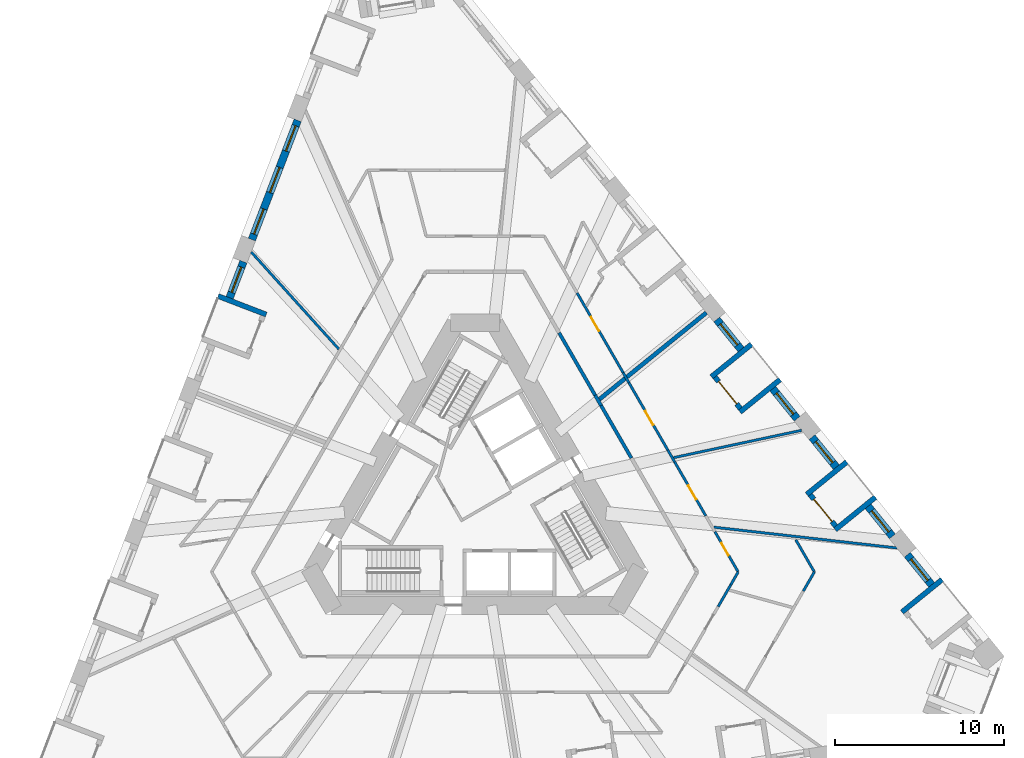
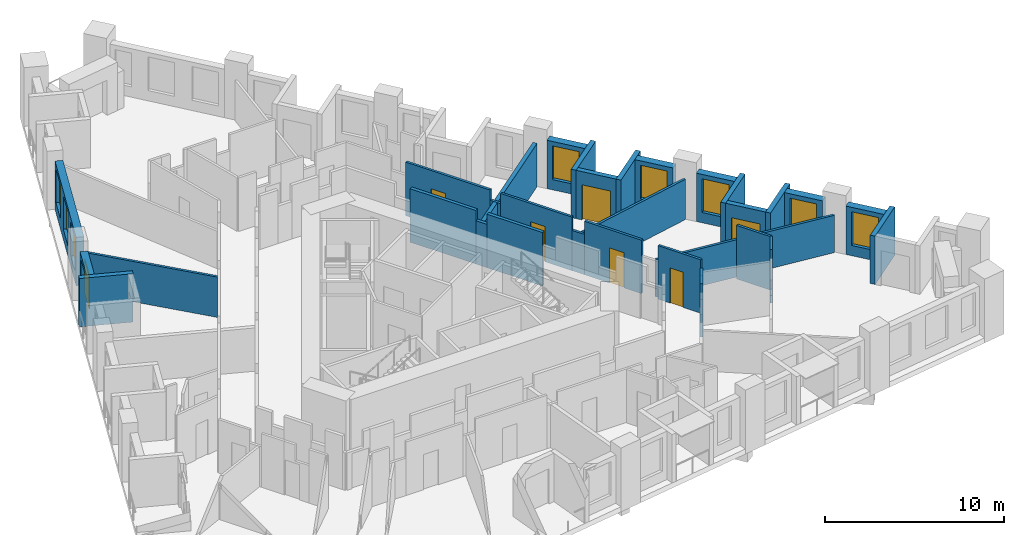
# One storey, part 7 of 13: 32 walls, 9 windows, 6 doors, 15 openings.
"""IFC4 building model written with IfcOpenShell, lengths in metres."""

import ifcopenshell
import ifcopenshell.guid

model = None  # the IFC model being written
_history = None  # IfcOwnerHistory: only IFC2X3 demands one
_inside = {}  # id of a spatial element -> (the spatial element, [elements in it])
_under = {}  # id of a project, library or spatial element -> (it, [spatial elements below it])
_declared = {}  # id of a project -> (the project, [libraries it declares])
_typed = {}  # id of a type object -> (the type object, [elements of that type])
_made_of = {}  # id of a material, layer set ... -> (it, [elements and type objects made of it])


def new_model(schema):
    """Start an empty IFC model of exactly this schema.

    Asked for "IFC4X3", IfcOpenShell would pick the latest addendum, in which some entities
    have other attributes; the version numbers below select the first issue.
    IFC2X3 requires an IfcOwnerHistory on every rooted entity: one is made here for all.
    """
    global model, _history
    if schema == "IFC4X3":
        model = ifcopenshell.file(schema_version=(4, 3, 0, 0))
    else:
        model = ifcopenshell.file(schema=schema)
    _inside.clear()
    _under.clear()
    _declared.clear()
    _typed.clear()
    _made_of.clear()
    _history = None
    if model.schema == "IFC2X3":
        org = make("IfcOrganization", Name="unknown")
        user = make(
            "IfcPersonAndOrganization",
            ThePerson=make("IfcPerson", FamilyName="unknown"),
            TheOrganization=org,
        )
        app = make(
            "IfcApplication",
            ApplicationDeveloper=org,
            Version="unknown",
            ApplicationFullName="unknown",
            ApplicationIdentifier="unknown",
        )
        _history = make(
            "IfcOwnerHistory",
            OwningUser=user,
            OwningApplication=app,
            ChangeAction="ADDED",
            CreationDate=0,
        )
    return model


def make(cls, **values):
    """One entity of the class cls with the attributes given. An attribute that is None is left unset."""
    return model.create_entity(
        cls, **{name: value for name, value in values.items() if value is not None}
    )


def rooted(cls, **values):
    """An entity with a GlobalId (a new one), such as an element, a storey or a relation."""
    return make(cls, GlobalId=ifcopenshell.guid.new(), OwnerHistory=_history, **values)


def si_unit(unit_type, name, prefix=None):
    """IfcSIUnit, for example si_unit("LENGTHUNIT", "METRE", prefix="MILLI")."""
    return make("IfcSIUnit", UnitType=unit_type, Prefix=prefix, Name=name)


def assignment(units):
    """IfcUnitAssignment: the units of a project."""
    return None if units is None else make("IfcUnitAssignment", Units=units)


def point(xyz):
    """IfcCartesianPoint."""
    return None if xyz is None else make("IfcCartesianPoint", Coordinates=xyz)


def direction(xyz):
    """IfcDirection."""
    return None if xyz is None else make("IfcDirection", DirectionRatios=xyz)


def frame(location, z_axis=None, x_axis=None):
    """IfcAxis2Placement3D, a coordinate frame: its origin and axes. An axis left out is left unset."""
    return make(
        "IfcAxis2Placement3D",
        Location=point(location),
        Axis=direction(z_axis),
        RefDirection=direction(x_axis),
    )


def frame_2d(location, x_axis=None):
    """IfcAxis2Placement2D, a coordinate frame in the plane: its origin and x axis."""
    return make(
        "IfcAxis2Placement2D", Location=point(location), RefDirection=direction(x_axis)
    )


def origin():
    """The frame at (0, 0, 0) with its axes left unset."""
    return frame((0.0, 0.0, 0.0))


def place(relative_to, where):
    """IfcLocalPlacement: puts the frame where relative to a parent placement (None: the world)."""
    return make(
        "IfcLocalPlacement", PlacementRelTo=relative_to, RelativePlacement=where
    )


def context(
    kind, dimensions, precision=None, world=None, true_north=None, identifier=None
):
    """IfcGeometricRepresentationContext, for example the 3D "Model" context."""
    return make(
        "IfcGeometricRepresentationContext",
        ContextIdentifier=identifier,
        ContextType=kind,
        CoordinateSpaceDimension=dimensions,
        Precision=precision,
        WorldCoordinateSystem=world,
        TrueNorth=true_north,
    )


def subcontext(parent, identifier, kind, view, scale=None):
    """IfcGeometricRepresentationSubContext, for example "Body" below "Model"."""
    return make(
        "IfcGeometricRepresentationSubContext",
        ContextIdentifier=identifier,
        ContextType=kind,
        ParentContext=parent,
        TargetScale=scale,
        TargetView=view,
    )


def project(units=None, contexts=None):
    """IfcProject with its units and contexts."""
    return rooted(
        "IfcProject",
        Name="project",
        RepresentationContexts=contexts,
        UnitsInContext=assignment(units),
    )


def spatial(cls, under=None, at=None, **own):
    """A site, building, storey or space (cls), placed at a placement, below another one or the project."""
    s = rooted(cls, ObjectPlacement=at, **own)
    if under is not None:
        _under.setdefault(under.id(), (under, []))[1].append(s)
    return s


def profile(cls, at=None, kind="AREA", **sizes):
    """A parametric profile (cls). Its sizes go by their IFC names, for example OverallWidth=200.0."""
    return make(cls, ProfileType=kind, Position=at, **sizes)


def rectangle(**sizes):
    """IfcRectangleProfileDef."""
    return profile("IfcRectangleProfileDef", **sizes)


def extrude(swept, where, along, depth):
    """IfcExtrudedAreaSolid: the profile swept, set in the frame where, extruded along a direction by depth."""
    return make(
        "IfcExtrudedAreaSolid",
        SweptArea=swept,
        Position=where,
        ExtrudedDirection=direction(along),
        Depth=depth,
    )


def shape(context_of_items, identifier, shape_type, items):
    """IfcShapeRepresentation: the items that make up one representation, for example the "Body"."""
    return make(
        "IfcShapeRepresentation",
        ContextOfItems=context_of_items,
        RepresentationIdentifier=identifier,
        RepresentationType=shape_type,
        Items=items,
    )


def material(Name=None, Category=None):
    """IfcMaterial."""
    return make("IfcMaterial", Name=Name, Category=Category)


def layer(
    of_material, thickness, ventilated=None, Name=None, Category=None, Priority=None
):
    """IfcMaterialLayer: one layer of a wall or slab, of a material (None: an air gap)."""
    return make(
        "IfcMaterialLayer",
        Material=of_material,
        LayerThickness=thickness,
        IsVentilated=ventilated,
        Name=Name,
        Category=Category,
        Priority=Priority,
    )


def layer_set(layers, Name=None):
    """IfcMaterialLayerSet."""
    return make("IfcMaterialLayerSet", MaterialLayers=layers, LayerSetName=Name)


def made_of(thing, what):
    """Note that an element or type object is made of a material, layer set ...; save() writes the relation."""
    if what is not None:
        _made_of.setdefault(what.id(), (what, []))[1].append(thing)
    return thing


def type_object(cls, material=None, **own):
    """A type object (cls), such as IfcWallType, which elements share."""
    return made_of(rooted(cls, **own), material)


def element(
    cls,
    number,
    at=None,
    inside=None,
    cuts=None,
    type_object=None,
    material=None,
    context=None,
    identifier="Body",
    shape_type=None,
    held_by="IfcProductDefinitionShape",
    body=None,
    shapes=None,
    **own,
):
    """One element of the class cls, such as IfcWall. Its Tag is "e" and its number.

    at: its placement. inside: the storey or other place that contains it. cuts: it is an
    opening in that element (IfcRelVoidsElement). A single representation is given by context,
    identifier, shape_type and body (its items); several are given by shapes. held_by: the class
    of the entity that holds the representations. save() writes the other relations.
    """
    e = rooted(cls, Tag="e%d" % number, ObjectPlacement=at, **own)
    if body is not None:
        shapes = [shape(context, identifier, shape_type, body)]
    if shapes is not None:
        e.Representation = make(held_by, Representations=shapes)
    if inside is not None:
        _inside.setdefault(inside.id(), (inside, []))[1].append(e)
    if cuts is not None:
        rooted(
            "IfcRelVoidsElement", RelatingBuildingElement=cuts, RelatedOpeningElement=e
        )
    if type_object is not None:
        _typed.setdefault(type_object.id(), (type_object, []))[1].append(e)
    return made_of(e, material)


def fill(opening, filler):
    """IfcRelFillsElement: the door or window that sits in an opening."""
    return rooted(
        "IfcRelFillsElement",
        RelatingOpeningElement=opening,
        RelatedBuildingElement=filler,
    )


def aggregate(whole, parts):
    """IfcRelAggregates: a whole, such as a stair, and the parts it consists of."""
    return rooted("IfcRelAggregates", RelatingObject=whole, RelatedObjects=parts)


def save(model, path):
    """Write the relations noted so far, then the file.

    IfcRelAggregates (storeys below a building ...), IfcRelContainedInSpatialStructure (elements
    in a storey), IfcRelDefinesByType, IfcRelAssociatesMaterial and IfcRelDeclares: one each for
    every whole, place, type object, material and project.
    """
    for whole, parts in _under.values():
        aggregate(whole, parts)
    for where, things in _inside.values():
        rooted(
            "IfcRelContainedInSpatialStructure",
            RelatedElements=things,
            RelatingStructure=where,
        )
    for kind, things in _typed.values():
        rooted("IfcRelDefinesByType", RelatedObjects=things, RelatingType=kind)
    for what, things in _made_of.values():
        rooted("IfcRelAssociatesMaterial", RelatedObjects=things, RelatingMaterial=what)
    for by, libraries in _declared.values():
        rooted("IfcRelDeclares", RelatingContext=by, RelatedDefinitions=libraries)
    model.write(path)


model = new_model("IFC4")

# Units and contexts
model_context = context("Model", 3, precision=1e-05, world=origin(), true_north=direction((0.0, 1.0)))
body_context = subcontext(model_context, "Body", "Model", "MODEL_VIEW")
ifc_project = project(units=[si_unit("LENGTHUNIT", "METRE"), si_unit("AREAUNIT", "SQUARE_METRE"), si_unit("VOLUMEUNIT", "CUBIC_METRE"), si_unit("PLANEANGLEUNIT", "RADIAN"), si_unit("MASSUNIT", "GRAM", prefix="KILO")], contexts=[model_context])

# Site, building, storey
site_placement = place(None, origin())
site = spatial("IfcSite", under=ifc_project, at=site_placement, CompositionType="ELEMENT")
building_placement = place(site_placement, origin())
building = spatial("IfcBuilding", under=site, at=building_placement, Name="Tramontana Tower", CompositionType="ELEMENT")
storey_placement = place(building_placement, frame((0.0, 0.0, 51.199951171875)))
storey = spatial("IfcBuildingStorey", under=building, at=storey_placement, Name="L10", CompositionType="ELEMENT", Elevation=51.199951171875)

# Walls
ifc_material_1 = material(Name="Blockwork", Category="masonry")
ifc_layer_1 = layer(ifc_material_1, 0.199951171875)
ifc_layer_set_1 = layer_set([ifc_layer_1], Name="ENTRY WALL 200")
wall_type_1 = type_object("IfcWallType", Name="ENTRY WALL 200", PredefinedType="SOLIDWALL", material=ifc_layer_set_1)
wall_1_placement = place(storey_placement, frame((4.97265625, 9.88720703125, 0.0), z_axis=(0.0, 0.0, 1.0), x_axis=(0.500000470374, -0.866025132214, 0.0)))
element("IfcWall", 1, at=wall_1_placement, inside=storey, type_object=wall_type_1, Name="Wall v10-ew0-2", PredefinedType="SOLIDWALL", context=body_context, shape_type="SweptSolid", body=[
    extrude(rectangle(XDim=4.2568359375, YDim=0.199951171875, at=frame_2d((2.12841796875, 0.0))), origin(), (0.0, 0.0, 1.0), 3.650146484375),
])
wall_2_placement = place(storey_placement, frame((7.10107421875, 6.20068359375, 0.0), z_axis=(0.0, 0.0, 1.0), x_axis=(0.499881507708, -0.866093804534, 0.0)))
element("IfcWall", 2, at=wall_2_placement, inside=storey, type_object=wall_type_1, Name="Wall v10-ew0-3", PredefinedType="SOLIDWALL", context=body_context, shape_type="SweptSolid", body=[
    extrude(rectangle(XDim=0.708740234375, YDim=0.199951171875, at=frame_2d((0.3544921875, 0.0))), origin(), (0.0, 0.0, 1.0), 2.949951171875),
])
wall_3_placement = place(storey_placement, frame((7.455322265625, 5.5869140625, 0.0), z_axis=(0.0, 0.0, 1.0), x_axis=(0.500013241293, -0.866017758786, 0.0)))
element("IfcWall", 3, at=wall_3_placement, inside=storey, type_object=wall_type_1, Name="Wall v10-ew0-4", PredefinedType="SOLIDWALL", context=body_context, shape_type="SweptSolid", body=[
    extrude(rectangle(XDim=3.58544921875, YDim=0.199951171875, at=frame_2d((1.792724609375, 0.0))), origin(), (0.0, 0.0, 1.0), 3.650146484375),
])

# Wall, openings, windows
ifc_material_2 = material(Name="Precast concrete 60 MPa", Category="concrete")
ifc_layer_2 = layer(ifc_material_2, 0.449951171875)
ifc_layer_set_2 = layer_set([ifc_layer_2], Name="Precast concrete 60 MPa, 450 mm")
wall_type_2 = type_object("IfcWallType", Name="EW1 Stone-faced precast wall 450", PredefinedType="SOLIDWALL", material=ifc_layer_set_2)
wall_4_placement = place(storey_placement, frame((-10.47802734375, 22.443603515625, 0.0), z_axis=(0.0, 0.0, 1.0), x_axis=(-0.358339674384, -0.933591279823, 0.0)))
wall_4 = element("IfcWall", 4, at=wall_4_placement, inside=storey, type_object=wall_type_2, Name="External wall L10 face 0 bay 2", PredefinedType="SOLIDWALL", context=body_context, shape_type="SweptSolid", body=[
    extrude(rectangle(XDim=7.548828125, YDim=0.449951171875, at=frame_2d((3.7744140625, 0.0))), origin(), (0.0, 0.0, 1.0), 3.300048828125),
])
opening_1_placement = place(wall_4_placement, frame((0.341552734375, 0.0, 0.699951171875)))
opening_1 = element("IfcOpeningElement", 5, at=opening_1_placement, cuts=wall_4, Name="Opening M1", PredefinedType="OPENING", context=body_context, shape_type="SweptSolid", body=[
    extrude(rectangle(XDim=1.60009765625, YDim=2.300048828125, at=frame_2d((0.800048828125, 1.14990234375))), frame((0.0, 0.23486328125, 0.0), z_axis=(0.0, -1.0, 0.0), x_axis=(1.0, 0.0, 0.0)), (0.0, 0.0, 1.0), 0.469970703125),
])
opening_2_placement = place(wall_4_placement, frame((2.974365234375, 0.0, 0.699951171875)))
opening_2 = element("IfcOpeningElement", 6, at=opening_2_placement, cuts=wall_4, Name="Opening M1", PredefinedType="OPENING", context=body_context, shape_type="SweptSolid", body=[
    extrude(rectangle(XDim=1.60009765625, YDim=2.300048828125, at=frame_2d((0.800048828125, 1.14990234375))), frame((0.0, 0.23486328125, 0.0), z_axis=(0.0, -1.0, 0.0), x_axis=(1.0, 0.0, 0.0)), (0.0, 0.0, 1.0), 0.469970703125),
])
opening_3_placement = place(wall_4_placement, frame((5.607421875, 0.0, 0.699951171875)))
opening_3 = element("IfcOpeningElement", 7, at=opening_3_placement, cuts=wall_4, Name="Opening M1", PredefinedType="OPENING", context=body_context, shape_type="SweptSolid", body=[
    extrude(rectangle(XDim=1.60009765625, YDim=2.300048828125, at=frame_2d((0.800048828125, 1.14990234375))), frame((0.0, 0.23486328125, 0.0), z_axis=(0.0, -1.0, 0.0), x_axis=(1.0, 0.0, 0.0)), (0.0, 0.0, 1.0), 0.469970703125),
])
ifc_material_3 = material(Name="Aluminum frame, double glazing unit", Category="aluminium")
window_type = type_object("IfcWindowType", Name="M1 Window 1.6 x 2.3", PartitioningType="SINGLE_PANEL", PredefinedType="WINDOW", material=ifc_material_3)
window_1_placement = place(opening_1_placement, origin())
window_1 = element("IfcWindow", 8, at=window_1_placement, inside=storey, type_object=window_type, Name="Window M1 L10 face 0 module 4", OverallHeight=2.300048828125, OverallWidth=1.60009765625, PartitioningType="SINGLE_PANEL", PredefinedType="WINDOW", context=body_context, shape_type="SweptSolid", body=[
    extrude(rectangle(XDim=1.60009765625, YDim=2.300048828125, at=frame_2d((0.800048828125, 1.14990234375))), frame((0.0, 0.030029296875, 0.0), z_axis=(0.0, -1.0, 0.0), x_axis=(1.0, 0.0, 0.0)), (0.0, 0.0, 1.0), 0.06005859375),
])
fill(opening_1, window_1)
window_2_placement = place(opening_2_placement, origin())
window_2 = element("IfcWindow", 9, at=window_2_placement, inside=storey, type_object=window_type, Name="Window M1 L10 face 0 module 5", OverallHeight=2.300048828125, OverallWidth=1.60009765625, PartitioningType="SINGLE_PANEL", PredefinedType="WINDOW", context=body_context, shape_type="SweptSolid", body=[
    extrude(rectangle(XDim=1.60009765625, YDim=2.300048828125, at=frame_2d((0.800048828125, 1.14990234375))), frame((0.0, 0.030029296875, 0.0), z_axis=(0.0, -1.0, 0.0), x_axis=(1.0, 0.0, 0.0)), (0.0, 0.0, 1.0), 0.06005859375),
])
fill(opening_2, window_2)
window_3_placement = place(opening_3_placement, origin())
window_3 = element("IfcWindow", 10, at=window_3_placement, inside=storey, type_object=window_type, Name="Window M1 L10 face 0 module 6", OverallHeight=2.300048828125, OverallWidth=1.60009765625, PartitioningType="SINGLE_PANEL", PredefinedType="WINDOW", context=body_context, shape_type="SweptSolid", body=[
    extrude(rectangle(XDim=1.60009765625, YDim=2.300048828125, at=frame_2d((0.800048828125, 1.14990234375))), frame((0.0, 0.030029296875, 0.0), z_axis=(0.0, -1.0, 0.0), x_axis=(1.0, 0.0, 0.0)), (0.0, 0.0, 1.0), 0.06005859375),
])
fill(opening_3, window_3)

# Wall, opening, window
wall_5_placement = place(storey_placement, frame((-13.684814453125, 14.0888671875, 0.0), z_axis=(0.0, 0.0, 1.0), x_axis=(-0.35844875217, -0.933549405264, 0.0)))
wall_5 = element("IfcWall", 11, at=wall_5_placement, inside=storey, type_object=wall_type_2, Name="External wall L10 face 0 bay 3", PredefinedType="SOLIDWALL", context=body_context, shape_type="SweptSolid", body=[
    extrude(rectangle(XDim=2.282958984375, YDim=0.449951171875, at=frame_2d((1.1416015625, 0.0))), origin(), (0.0, 0.0, 1.0), 3.300048828125),
])
opening_4_placement = place(wall_5_placement, frame((0.341552734375, 0.0, 0.699951171875)))
opening_4 = element("IfcOpeningElement", 12, at=opening_4_placement, cuts=wall_5, Name="Opening M1", PredefinedType="OPENING", context=body_context, shape_type="SweptSolid", body=[
    extrude(rectangle(XDim=1.60009765625, YDim=2.300048828125, at=frame_2d((0.800048828125, 1.14990234375))), frame((0.0, 0.23486328125, 0.0), z_axis=(0.0, -1.0, 0.0), x_axis=(1.0, 0.0, 0.0)), (0.0, 0.0, 1.0), 0.469970703125),
])
window_4_placement = place(opening_4_placement, origin())
window_4 = element("IfcWindow", 13, at=window_4_placement, inside=storey, type_object=window_type, Name="Window M1 L10 face 0 module 7", OverallHeight=2.300048828125, OverallWidth=1.60009765625, PartitioningType="SINGLE_PANEL", PredefinedType="WINDOW", context=body_context, shape_type="SweptSolid", body=[
    extrude(rectangle(XDim=1.60009765625, YDim=2.300048828125, at=frame_2d((0.800048828125, 1.14990234375))), frame((0.0, 0.030029296875, 0.0), z_axis=(0.0, -1.0, 0.0), x_axis=(1.0, 0.0, 0.0)), (0.0, 0.0, 1.0), 0.06005859375),
])
fill(opening_4, window_4)

wall_6_placement = place(storey_placement, frame((26.993408203125, -5.009765625, 0.0), z_axis=(0.0, 0.0, 1.0), x_axis=(-0.629339730135, 0.777130300576, 0.0)))
wall_6 = element("IfcWall", 14, at=wall_6_placement, inside=storey, type_object=wall_type_2, Name="External wall L10 face 2 bay 1", PredefinedType="SOLIDWALL", context=body_context, shape_type="SweptSolid", body=[
    extrude(rectangle(XDim=2.282958984375, YDim=0.449951171875, at=frame_2d((1.1416015625, 0.0))), origin(), (0.0, 0.0, 1.0), 3.300048828125),
])
opening_5_placement = place(wall_6_placement, frame((0.341552734375, 0.0, 0.699951171875)))
opening_5 = element("IfcOpeningElement", 15, at=opening_5_placement, cuts=wall_6, Name="Opening M1", PredefinedType="OPENING", context=body_context, shape_type="SweptSolid", body=[
    extrude(rectangle(XDim=1.60009765625, YDim=2.300048828125, at=frame_2d((0.800048828125, 1.14990234375))), frame((0.0, 0.23486328125, 0.0), z_axis=(0.0, -1.0, 0.0), x_axis=(1.0, 0.0, 0.0)), (0.0, 0.0, 1.0), 0.469970703125),
])
window_5_placement = place(opening_5_placement, origin())
window_5 = element("IfcWindow", 16, at=window_5_placement, inside=storey, type_object=window_type, Name="Window M1 L10 face 2 module 3", OverallHeight=2.300048828125, OverallWidth=1.60009765625, PartitioningType="SINGLE_PANEL", PredefinedType="WINDOW", context=body_context, shape_type="SweptSolid", body=[
    extrude(rectangle(XDim=1.60009765625, YDim=2.300048828125, at=frame_2d((0.800048828125, 1.14990234375))), frame((0.0, 0.030029296875, 0.0), z_axis=(0.0, -1.0, 0.0), x_axis=(1.0, 0.0, 0.0)), (0.0, 0.0, 1.0), 0.06005859375),
])
fill(opening_5, window_5)

wall_7_placement = place(storey_placement, frame((24.675537109375, -2.147705078125, 0.0), z_axis=(0.0, 0.0, 1.0), x_axis=(-0.629287431131, 0.777172650716, 0.0)))
wall_7 = element("IfcWall", 17, at=wall_7_placement, inside=storey, type_object=wall_type_2, Name="External wall L10 face 2 bay 2", PredefinedType="SOLIDWALL", context=body_context, shape_type="SweptSolid", body=[
    extrude(rectangle(XDim=2.283203125, YDim=0.449951171875, at=frame_2d((1.1416015625, 0.0))), origin(), (0.0, 0.0, 1.0), 3.300048828125),
])
opening_6_placement = place(wall_7_placement, frame((0.341552734375, 0.0, 0.699951171875)))
opening_6 = element("IfcOpeningElement", 18, at=opening_6_placement, cuts=wall_7, Name="Opening M1", PredefinedType="OPENING", context=body_context, shape_type="SweptSolid", body=[
    extrude(rectangle(XDim=1.60009765625, YDim=2.300048828125, at=frame_2d((0.800048828125, 1.14990234375))), frame((0.0, 0.23486328125, 0.0), z_axis=(0.0, -1.0, 0.0), x_axis=(1.0, 0.0, 0.0)), (0.0, 0.0, 1.0), 0.469970703125),
])
window_6_placement = place(opening_6_placement, origin())
window_6 = element("IfcWindow", 19, at=window_6_placement, inside=storey, type_object=window_type, Name="Window M1 L10 face 2 module 4", OverallHeight=2.300048828125, OverallWidth=1.60009765625, PartitioningType="SINGLE_PANEL", PredefinedType="WINDOW", context=body_context, shape_type="SweptSolid", body=[
    extrude(rectangle(XDim=1.60009765625, YDim=2.300048828125, at=frame_2d((0.800048828125, 1.14990234375))), frame((0.0, 0.030029296875, 0.0), z_axis=(0.0, -1.0, 0.0), x_axis=(1.0, 0.0, 0.0)), (0.0, 0.0, 1.0), 0.06005859375),
])
fill(opening_6, window_6)

wall_8_placement = place(storey_placement, frame((21.361572265625, 1.94482421875, 0.0), z_axis=(0.0, 0.0, 1.0), x_axis=(-0.629339730135, 0.777130300576, 0.0)))
wall_8 = element("IfcWall", 20, at=wall_8_placement, inside=storey, type_object=wall_type_2, Name="External wall L10 face 2 bay 2", PredefinedType="SOLIDWALL", context=body_context, shape_type="SweptSolid", body=[
    extrude(rectangle(XDim=2.282958984375, YDim=0.449951171875, at=frame_2d((1.1416015625, 0.0))), origin(), (0.0, 0.0, 1.0), 3.300048828125),
])
opening_7_placement = place(wall_8_placement, frame((0.341552734375, 0.0, 0.699951171875)))
opening_7 = element("IfcOpeningElement", 21, at=opening_7_placement, cuts=wall_8, Name="Opening M1", PredefinedType="OPENING", context=body_context, shape_type="SweptSolid", body=[
    extrude(rectangle(XDim=1.60009765625, YDim=2.300048828125, at=frame_2d((0.800048828125, 1.14990234375))), frame((0.0, 0.23486328125, 0.0), z_axis=(0.0, -1.0, 0.0), x_axis=(1.0, 0.0, 0.0)), (0.0, 0.0, 1.0), 0.469970703125),
])
window_7_placement = place(opening_7_placement, origin())
window_7 = element("IfcWindow", 22, at=window_7_placement, inside=storey, type_object=window_type, Name="Window M1 L10 face 2 module 6", OverallHeight=2.300048828125, OverallWidth=1.60009765625, PartitioningType="SINGLE_PANEL", PredefinedType="WINDOW", context=body_context, shape_type="SweptSolid", body=[
    extrude(rectangle(XDim=1.60009765625, YDim=2.300048828125, at=frame_2d((0.800048828125, 1.14990234375))), frame((0.0, 0.030029296875, 0.0), z_axis=(0.0, -1.0, 0.0), x_axis=(1.0, 0.0, 0.0)), (0.0, 0.0, 1.0), 0.06005859375),
])
fill(opening_7, window_7)

wall_9_placement = place(storey_placement, frame((19.0439453125, 4.80712890625, 0.0), z_axis=(0.0, 0.0, 1.0), x_axis=(-0.629339730135, 0.777130300576, 0.0)))
wall_9 = element("IfcWall", 23, at=wall_9_placement, inside=storey, type_object=wall_type_2, Name="External wall L10 face 2 bay 3", PredefinedType="SOLIDWALL", context=body_context, shape_type="SweptSolid", body=[
    extrude(rectangle(XDim=2.282958984375, YDim=0.449951171875, at=frame_2d((1.1416015625, 0.0))), origin(), (0.0, 0.0, 1.0), 3.300048828125),
])
opening_8_placement = place(wall_9_placement, frame((0.341552734375, 0.0, 0.699951171875)))
opening_8 = element("IfcOpeningElement", 24, at=opening_8_placement, cuts=wall_9, Name="Opening M1", PredefinedType="OPENING", context=body_context, shape_type="SweptSolid", body=[
    extrude(rectangle(XDim=1.60009765625, YDim=2.300048828125, at=frame_2d((0.800048828125, 1.14990234375))), frame((0.0, 0.23486328125, 0.0), z_axis=(0.0, -1.0, 0.0), x_axis=(1.0, 0.0, 0.0)), (0.0, 0.0, 1.0), 0.469970703125),
])
window_8_placement = place(opening_8_placement, origin())
window_8 = element("IfcWindow", 25, at=window_8_placement, inside=storey, type_object=window_type, Name="Window M1 L10 face 2 module 7", OverallHeight=2.300048828125, OverallWidth=1.60009765625, PartitioningType="SINGLE_PANEL", PredefinedType="WINDOW", context=body_context, shape_type="SweptSolid", body=[
    extrude(rectangle(XDim=1.60009765625, YDim=2.300048828125, at=frame_2d((0.800048828125, 1.14990234375))), frame((0.0, 0.030029296875, 0.0), z_axis=(0.0, -1.0, 0.0), x_axis=(1.0, 0.0, 0.0)), (0.0, 0.0, 1.0), 0.06005859375),
])
fill(opening_8, window_8)

wall_10_placement = place(storey_placement, frame((15.72998046875, 8.8994140625, 0.0), z_axis=(0.0, 0.0, 1.0), x_axis=(-0.629339730135, 0.777130300576, 0.0)))
wall_10 = element("IfcWall", 26, at=wall_10_placement, inside=storey, type_object=wall_type_2, Name="External wall L10 face 2 bay 3", PredefinedType="SOLIDWALL", context=body_context, shape_type="SweptSolid", body=[
    extrude(rectangle(XDim=2.282958984375, YDim=0.449951171875, at=frame_2d((1.1416015625, 0.0))), origin(), (0.0, 0.0, 1.0), 3.300048828125),
])
opening_9_placement = place(wall_10_placement, frame((0.341552734375, 0.0, 0.699951171875)))
opening_9 = element("IfcOpeningElement", 27, at=opening_9_placement, cuts=wall_10, Name="Opening M1", PredefinedType="OPENING", context=body_context, shape_type="SweptSolid", body=[
    extrude(rectangle(XDim=1.60009765625, YDim=2.300048828125, at=frame_2d((0.800048828125, 1.14990234375))), frame((0.0, 0.23486328125, 0.0), z_axis=(0.0, -1.0, 0.0), x_axis=(1.0, 0.0, 0.0)), (0.0, 0.0, 1.0), 0.469970703125),
])
window_9_placement = place(opening_9_placement, origin())
window_9 = element("IfcWindow", 28, at=window_9_placement, inside=storey, type_object=window_type, Name="Window M1 L10 face 2 module 9", OverallHeight=2.300048828125, OverallWidth=1.60009765625, PartitioningType="SINGLE_PANEL", PredefinedType="WINDOW", context=body_context, shape_type="SweptSolid", body=[
    extrude(rectangle(XDim=1.60009765625, YDim=2.300048828125, at=frame_2d((0.800048828125, 1.14990234375))), frame((0.0, 0.030029296875, 0.0), z_axis=(0.0, -1.0, 0.0), x_axis=(1.0, 0.0, 0.0)), (0.0, 0.0, 1.0), 0.06005859375),
])
fill(opening_9, window_9)

# Walls
ifc_material_4 = material(Name="Precast concrete 60 MPa", Category="concrete")
ifc_layer_3 = layer(ifc_material_4, 0.300048828125)
ifc_layer_set_3 = layer_set([ifc_layer_3], Name="LW1 Stone-faced loggia wall 300")
wall_type_3 = type_object("IfcWallType", Name="LW1 Stone-faced loggia wall 300", PredefinedType="SOLIDWALL", material=ifc_layer_set_3)
for number, where, z_axis, x_axis, name in (
    (29, (-15.18701171875, 12.0595703125, 0.0), (0.0, 0.0, 1.0), (0.933580593625, -0.358367514161, 0.0), "Loggia return L10 G1S0.7a"),
    (30, (27.6123046875, -4.70166015625, 0.0), (0.0, 0.0, 1.0), (-0.777153523895, -0.629311052102, 0.0), "Loggia return L10 G1S2.1b"),
):
    element("IfcWall", number, at=place(storey_placement, frame(where, z_axis=z_axis, x_axis=x_axis)), inside=storey, type_object=wall_type_3, Name=name, PredefinedType="SOLIDWALL", context=body_context, shape_type="SweptSolid", body=[
        extrude(rectangle(XDim=3.050048828125, YDim=0.300048828125, at=frame_2d((1.52490234375, 0.0))), origin(), (0.0, 0.0, 1.0), 3.300048828125),
    ])

# Wall, opening, door
wall_11_placement = place(storey_placement, frame((21.32080078125, -1.54052734375, 0.0), z_axis=(0.0, 0.0, 1.0), x_axis=(-0.629257171563, 0.777197151331, 0.0)))
wall_11 = element("IfcWall", 31, at=wall_11_placement, inside=storey, type_object=wall_type_3, Name="Loggia wall L10 G1S2.4", PredefinedType="SOLIDWALL", context=body_context, shape_type="SweptSolid", body=[
    extrude(rectangle(XDim=2.383056640625, YDim=0.300048828125, at=frame_2d((1.19140625, 0.0))), origin(), (0.0, 0.0, 1.0), 3.300048828125),
])
opening_10_placement = place(wall_11_placement, frame((0.341552734375, 0.0, 0.0)))
opening_10 = element("IfcOpeningElement", 32, at=opening_10_placement, cuts=wall_11, Name="Opening BD-1S2-04", PredefinedType="OPENING", context=body_context, shape_type="SweptSolid", body=[
    extrude(rectangle(XDim=1.699951171875, YDim=2.39990234375, at=frame_2d((0.85009765625, 1.199951171875))), frame((0.0, 0.159912109375, 0.0), z_axis=(0.0, -1.0, 0.0), x_axis=(1.0, 0.0, 0.0)), (0.0, 0.0, 1.0), 0.320068359375),
])
ifc_material_5 = material(Name="Aluminum frame, double glazing unit", Category="aluminium")
door_type_1 = type_object("IfcDoorType", Name="BD1 Sliding door 1.7 x 2.4", OperationType="SLIDING_TO_LEFT", PredefinedType="DOOR", material=ifc_material_5)
door_1_placement = place(opening_10_placement, origin())
door_1 = element("IfcDoor", 33, at=door_1_placement, inside=storey, type_object=door_type_1, Name="Loggia door L10 G1S2.4", OperationType="SLIDING_TO_LEFT", OverallHeight=2.39990234375, OverallWidth=1.699951171875, PredefinedType="DOOR", context=body_context, shape_type="SweptSolid", body=[
    extrude(rectangle(XDim=1.699951171875, YDim=2.39990234375, at=frame_2d((0.85009765625, 1.199951171875))), frame((0.0, 0.02490234375, 0.0), z_axis=(0.0, -1.0, 0.0), x_axis=(1.0, 0.0, 0.0)), (0.0, 0.0, 1.0), 0.050048828125),
])
fill(opening_10, door_1)

# Walls
for number, where, z_axis, x_axis, name in (
    (34, (23.6689453125, 0.16796875, 0.0), (0.0, 0.0, 1.0), (-0.777121820661, -0.629350201281, 0.0), "Loggia return L10 G1S2.4a"),
    (35, (21.98046875, 2.2529296875, 0.0), (0.0, 0.0, 1.0), (-0.777121820661, -0.629350201281, 0.0), "Loggia return L10 G1S2.4b"),
):
    element("IfcWall", number, at=place(storey_placement, frame(where, z_axis=z_axis, x_axis=x_axis)), inside=storey, type_object=wall_type_3, Name=name, PredefinedType="SOLIDWALL", context=body_context, shape_type="SweptSolid", body=[
        extrude(rectangle(XDim=3.0498046875, YDim=0.300048828125, at=frame_2d((1.52490234375, 0.0))), origin(), (0.0, 0.0, 1.0), 3.300048828125),
    ])

# Wall, opening, door
wall_12_placement = place(storey_placement, frame((15.689208984375, 5.4140625, 0.0), z_axis=(0.0, 0.0, 1.0), x_axis=(-0.629319049918, 0.777147047482, 0.0)))
wall_12 = element("IfcWall", 36, at=wall_12_placement, inside=storey, type_object=wall_type_3, Name="Loggia wall L10 G1S2.7", PredefinedType="SOLIDWALL", context=body_context, shape_type="SweptSolid", body=[
    extrude(rectangle(XDim=2.383056640625, YDim=0.300048828125, at=frame_2d((1.19140625, 0.0))), origin(), (0.0, 0.0, 1.0), 3.300048828125),
])
opening_11_placement = place(wall_12_placement, frame((0.341552734375, 0.0, 0.0)))
opening_11 = element("IfcOpeningElement", 37, at=opening_11_placement, cuts=wall_12, Name="Opening BD-1S2-07", PredefinedType="OPENING", context=body_context, shape_type="SweptSolid", body=[
    extrude(rectangle(XDim=1.699951171875, YDim=2.39990234375, at=frame_2d((0.85009765625, 1.199951171875))), frame((0.0, 0.159912109375, 0.0), z_axis=(0.0, -1.0, 0.0), x_axis=(1.0, 0.0, 0.0)), (0.0, 0.0, 1.0), 0.320068359375),
])
door_2_placement = place(opening_11_placement, origin())
door_2 = element("IfcDoor", 38, at=door_2_placement, inside=storey, type_object=door_type_1, Name="Loggia door L10 G1S2.7", OperationType="SLIDING_TO_LEFT", OverallHeight=2.39990234375, OverallWidth=1.699951171875, PredefinedType="DOOR", context=body_context, shape_type="SweptSolid", body=[
    extrude(rectangle(XDim=1.699951171875, YDim=2.39990234375, at=frame_2d((0.85009765625, 1.199951171875))), frame((0.0, 0.02490234375, 0.0), z_axis=(0.0, -1.0, 0.0), x_axis=(1.0, 0.0, 0.0)), (0.0, 0.0, 1.0), 0.050048828125),
])
fill(opening_11, door_2)

# Walls
for number, where, z_axis, x_axis, name in (
    (39, (18.037353515625, 7.12255859375, 0.0), (0.0, 0.0, 1.0), (-0.777153523895, -0.629311052102, 0.0), "Loggia return L10 G1S2.7a"),
    (40, (16.348876953125, 9.207763671875, 0.0), (0.0, 0.0, 1.0), (-0.777153523895, -0.629311052102, 0.0), "Loggia return L10 G1S2.7b"),
):
    element("IfcWall", number, at=place(storey_placement, frame(where, z_axis=z_axis, x_axis=x_axis)), inside=storey, type_object=wall_type_3, Name=name, PredefinedType="SOLIDWALL", context=body_context, shape_type="SweptSolid", body=[
        extrude(rectangle(XDim=3.050048828125, YDim=0.300048828125, at=frame_2d((1.52490234375, 0.0))), origin(), (0.0, 0.0, 1.0), 3.300048828125),
    ])
ifc_material_6 = material(Name="Gypsum board partition")
ifc_layer_4 = layer(ifc_material_6, 0.14990234375)
ifc_layer_set_4 = layer_set([ifc_layer_4], Name="PARTITION 150")
wall_type_4 = type_object("IfcWallType", Name="PARTITION 150", PredefinedType="PARTITIONING", material=ifc_layer_set_4)
wall_13_placement = place(storey_placement, frame((-8.04345703125, 8.918212890625, 0.0), z_axis=(0.0, 0.0, 1.0), x_axis=(-0.669776960547, 0.742562336185, 0.0)))
element("IfcWall", 41, at=wall_13_placement, inside=storey, type_object=wall_type_4, Name="Wall v10-pw12-0", PredefinedType="PARTITIONING", context=body_context, shape_type="SweptSolid", body=[
    extrude(rectangle(XDim=7.73486328125, YDim=0.14990234375, at=frame_2d((3.867431640625, 0.0))), origin(), (0.0, 0.0, 1.0), 2.75),
])

# Wall, opening, door
wall_14_placement = place(storey_placement, frame((6.038330078125, 12.241455078125, 0.0), z_axis=(0.0, 0.0, 1.0), x_axis=(0.500003308737, -0.866023493476, 0.0)))
wall_14 = element("IfcWall", 42, at=wall_14_placement, inside=storey, type_object=wall_type_4, Name="Wall v10-pw23-2", PredefinedType="PARTITIONING", context=body_context, shape_type="SweptSolid", body=[
    extrude(rectangle(XDim=5.44287109375, YDim=0.14990234375, at=frame_2d((2.721435546875, 0.0))), origin(), (0.0, 0.0, 1.0), 3.650146484375),
])
opening_12_placement = place(wall_14_placement, frame((1.639892578125, 0.0, 0.0)))
opening_12 = element("IfcOpeningElement", 43, at=opening_12_placement, cuts=wall_14, Name="Opening B1A-05", PredefinedType="OPENING", context=body_context, shape_type="SweptSolid", body=[
    extrude(rectangle(XDim=0.949951171875, YDim=2.39990234375, at=frame_2d((0.47509765625, 1.199951171875))), frame((0.0, 0.0849609375, 0.0), z_axis=(0.0, -1.0, 0.0), x_axis=(1.0, 0.0, 0.0)), (0.0, 0.0, 1.0), 0.169921875),
])
ifc_material_7 = material(Name="Painted timber", Category="wood")
door_type_2 = type_object("IfcDoorType", Name="DOOR ROOM 950", OperationType="SINGLE_SWING_LEFT", PredefinedType="DOOR", material=ifc_material_7)
door_3_placement = place(opening_12_placement, origin())
door_3 = element("IfcDoor", 44, at=door_3_placement, inside=storey, type_object=door_type_2, Name="Door B1A-05", OperationType="SINGLE_SWING_LEFT", OverallHeight=2.39990234375, OverallWidth=0.949951171875, PredefinedType="DOOR", context=body_context, shape_type="SweptSolid", body=[
    extrude(rectangle(XDim=0.949951171875, YDim=2.39990234375, at=frame_2d((0.47509765625, 1.199951171875))), frame((0.0, 0.02490234375, 0.0), z_axis=(0.0, -1.0, 0.0), x_axis=(1.0, 0.0, 0.0)), (0.0, 0.0, 1.0), 0.050048828125),
])
fill(opening_12, door_3)

# Wall
wall_15_placement = place(storey_placement, frame((8.759765625, 7.52783203125, 0.0), z_axis=(0.0, 0.0, 1.0), x_axis=(0.499712146016, -0.866191532586, 0.0)))
element("IfcWall", 45, at=wall_15_placement, inside=storey, type_object=wall_type_4, Name="Wall v10-pw23-3", PredefinedType="PARTITIONING", context=body_context, shape_type="SweptSolid", body=[
    extrude(rectangle(XDim=0.68359375, YDim=0.14990234375, at=frame_2d((0.341796875, 0.0))), origin(), (0.0, 0.0, 1.0), 2.949951171875),
])

# Wall, opening, door
wall_16_placement = place(storey_placement, frame((9.101318359375, 6.935791015625, 0.0), z_axis=(0.0, 0.0, 1.0), x_axis=(0.500008794324, -0.866020326319, 0.0)))
wall_16 = element("IfcWall", 46, at=wall_16_placement, inside=storey, type_object=wall_type_4, Name="Wall v10-pw23-4", PredefinedType="PARTITIONING", context=body_context, shape_type="SweptSolid", body=[
    extrude(rectangle(XDim=4.6005859375, YDim=0.14990234375, at=frame_2d((2.30029296875, 0.0))), origin(), (0.0, 0.0, 1.0), 3.650146484375),
])
opening_13_placement = place(wall_16_placement, frame((1.92236328125, 0.0, 0.0)))
opening_13 = element("IfcOpeningElement", 47, at=opening_13_placement, cuts=wall_16, Name="Opening B1A-24", PredefinedType="OPENING", context=body_context, shape_type="SweptSolid", body=[
    extrude(rectangle(XDim=0.949951171875, YDim=2.39990234375, at=frame_2d((0.47509765625, 1.199951171875))), frame((0.0, 0.0849609375, 0.0), z_axis=(0.0, -1.0, 0.0), x_axis=(1.0, 0.0, 0.0)), (0.0, 0.0, 1.0), 0.169921875),
])
door_4_placement = place(opening_13_placement, origin())
door_4 = element("IfcDoor", 48, at=door_4_placement, inside=storey, type_object=door_type_2, Name="Door B1A-24", OperationType="SINGLE_SWING_RIGHT", OverallHeight=2.39990234375, OverallWidth=0.949951171875, PredefinedType="DOOR", context=body_context, shape_type="SweptSolid", body=[
    extrude(rectangle(XDim=0.949951171875, YDim=2.39990234375, at=frame_2d((0.47509765625, 1.199951171875))), frame((0.0, 0.02490234375, 0.0), z_axis=(0.0, -1.0, 0.0), x_axis=(1.0, 0.0, 0.0)), (0.0, 0.0, 1.0), 0.050048828125),
])
fill(opening_13, door_4)

# Wall
wall_17_placement = place(storey_placement, frame((11.401611328125, 2.95166015625, 0.0), z_axis=(0.0, 0.0, 1.0), x_axis=(0.500147393723, -0.865940289253, 0.0)))
element("IfcWall", 49, at=wall_17_placement, inside=storey, type_object=wall_type_4, Name="Wall v10-pw23-5", PredefinedType="PARTITIONING", context=body_context, shape_type="SweptSolid", body=[
    extrude(rectangle(XDim=0.812255859375, YDim=0.14990234375, at=frame_2d((0.40625, 0.0))), origin(), (0.0, 0.0, 1.0), 2.75),
])

# Wall, opening, door
wall_18_placement = place(storey_placement, frame((11.807861328125, 2.248291015625, 0.0), z_axis=(0.0, 0.0, 1.0), x_axis=(0.500002145574, -0.866024165033, 0.0)))
wall_18 = element("IfcWall", 50, at=wall_18_placement, inside=storey, type_object=wall_type_4, Name="Wall v10-pw23-6", PredefinedType="PARTITIONING", context=body_context, shape_type="SweptSolid", body=[
    extrude(rectangle(XDim=3.67724609375, YDim=0.14990234375, at=frame_2d((1.838623046875, 0.0))), origin(), (0.0, 0.0, 1.0), 3.650146484375),
])
opening_14_placement = place(wall_18_placement, frame((1.603515625, 0.0, 0.0)))
opening_14 = element("IfcOpeningElement", 51, at=opening_14_placement, cuts=wall_18, Name="Opening B1A-23", PredefinedType="OPENING", context=body_context, shape_type="SweptSolid", body=[
    extrude(rectangle(XDim=0.949951171875, YDim=2.39990234375, at=frame_2d((0.47509765625, 1.199951171875))), frame((0.0, 0.0849609375, 0.0), z_axis=(0.0, -1.0, 0.0), x_axis=(1.0, 0.0, 0.0)), (0.0, 0.0, 1.0), 0.169921875),
])
door_5_placement = place(opening_14_placement, origin())
door_5 = element("IfcDoor", 52, at=door_5_placement, inside=storey, type_object=door_type_2, Name="Door B1A-23", OperationType="SINGLE_SWING_LEFT", OverallHeight=2.39990234375, OverallWidth=0.949951171875, PredefinedType="DOOR", context=body_context, shape_type="SweptSolid", body=[
    extrude(rectangle(XDim=0.949951171875, YDim=2.39990234375, at=frame_2d((0.47509765625, 1.199951171875))), frame((0.0, 0.02490234375, 0.0), z_axis=(0.0, -1.0, 0.0), x_axis=(1.0, 0.0, 0.0)), (0.0, 0.0, 1.0), 0.050048828125),
])
fill(opening_14, door_5)

wall_19_placement = place(storey_placement, frame((14.185546875, -1.8701171875, 0.0), z_axis=(0.0, 0.0, 1.0), x_axis=(0.499999305434, -0.866025804792, 0.0)))
wall_19 = element("IfcWall", 53, at=wall_19_placement, inside=storey, type_object=wall_type_4, Name="Wall v10-pw23-8", PredefinedType="PARTITIONING", context=body_context, shape_type="SweptSolid", body=[
    extrude(rectangle(XDim=2.748046875, YDim=0.14990234375, at=frame_2d((1.3740234375, 0.0))), origin(), (0.0, 0.0, 1.0), 3.650146484375),
])
opening_15_placement = place(wall_19_placement, frame((0.767822265625, 0.0, 0.0)))
opening_15 = element("IfcOpeningElement", 54, at=opening_15_placement, cuts=wall_19, Name="Opening B1A-20", PredefinedType="OPENING", context=body_context, shape_type="SweptSolid", body=[
    extrude(rectangle(XDim=0.85009765625, YDim=2.39990234375, at=frame_2d((0.425048828125, 1.199951171875))), frame((0.0, 0.0849609375, 0.0), z_axis=(0.0, -1.0, 0.0), x_axis=(1.0, 0.0, 0.0)), (0.0, 0.0, 1.0), 0.169921875),
])
ifc_material_8 = material(Name="Painted timber", Category="wood")
door_type_3 = type_object("IfcDoorType", Name="DOOR BATH 850", OperationType="SINGLE_SWING_LEFT", PredefinedType="DOOR", material=ifc_material_8)
door_6_placement = place(opening_15_placement, origin())
door_6 = element("IfcDoor", 55, at=door_6_placement, inside=storey, type_object=door_type_3, Name="Door B1A-20", OperationType="SINGLE_SWING_RIGHT", OverallHeight=2.39990234375, OverallWidth=0.85009765625, PredefinedType="DOOR", context=body_context, shape_type="SweptSolid", body=[
    extrude(rectangle(XDim=0.85009765625, YDim=2.39990234375, at=frame_2d((0.425048828125, 1.199951171875))), frame((0.0, 0.02490234375, 0.0), z_axis=(0.0, -1.0, 0.0), x_axis=(1.0, 0.0, 0.0)), (0.0, 0.0, 1.0), 0.050048828125),
])
fill(opening_15, door_6)

# Walls
wall_20_placement = place(storey_placement, frame((11.7451171875, 2.5068359375, 0.0), z_axis=(0.0, 0.0, 1.0), x_axis=(0.97797299527, 0.208731455516, 0.0)))
element("IfcWall", 56, at=wall_20_placement, inside=storey, type_object=wall_type_4, Name="Wall v10-pw36-0", PredefinedType="PARTITIONING", context=body_context, shape_type="SweptSolid", body=[
    extrude(rectangle(XDim=7.73486328125, YDim=0.14990234375, at=frame_2d((3.867431640625, 0.0))), origin(), (0.0, 0.0, 1.0), 2.75),
])
wall_21_placement = place(storey_placement, frame((14.118408203125, -1.603759765625, 0.0), z_axis=(0.0, 0.0, 1.0), x_axis=(0.993609026083, -0.112876495722, 0.0)))
element("IfcWall", 57, at=wall_21_placement, inside=storey, type_object=wall_type_4, Name="Wall v10-pw38-0", PredefinedType="PARTITIONING", context=body_context, shape_type="SweptSolid", body=[
    extrude(rectangle(XDim=10.892333984375, YDim=0.14990234375, at=frame_2d((5.4462890625, 0.0))), origin(), (0.0, 0.0, 1.0), 2.550048828125),
])
wall_22_placement = place(storey_placement, frame((15.5595703125, -4.25, 0.0), z_axis=(0.0, 0.0, 1.0), x_axis=(-0.500003763204, -0.866023231087, 0.0)))
element("IfcWall", 58, at=wall_22_placement, inside=storey, type_object=wall_type_4, Name="Wall v10-pw40-0", PredefinedType="PARTITIONING", context=body_context, shape_type="SweptSolid", body=[
    extrude(rectangle(XDim=0.87646484375, YDim=0.14990234375, at=frame_2d((0.438232421875, 0.0))), origin(), (0.0, 0.0, 1.0), 2.550048828125),
])
wall_23_placement = place(storey_placement, frame((15.121337890625, -5.009033203125, 0.0), z_axis=(0.0, 0.0, 1.0), x_axis=(-0.500025795397, -0.866010510293, 0.0)))
element("IfcWall", 59, at=wall_23_placement, inside=storey, type_object=wall_type_4, Name="Wall v10-pw40-1", PredefinedType="PARTITIONING", context=body_context, shape_type="SweptSolid", body=[
    extrude(rectangle(XDim=1.486328125, YDim=0.14990234375, at=frame_2d((0.7431640625, 0.0))), origin(), (0.0, 0.0, 1.0), 3.650146484375),
])
wall_24_placement = place(storey_placement, frame((18.96728515625, -2.35205078125, 0.0), z_axis=(0.0, 0.0, 1.0), x_axis=(0.499973180286, -0.8660408876, 0.0)))
element("IfcWall", 60, at=wall_24_placement, inside=storey, type_object=wall_type_4, Name="Wall v10-pw41-1", PredefinedType="PARTITIONING", context=body_context, shape_type="SweptSolid", body=[
    extrude(rectangle(XDim=2.19140625, YDim=0.14990234375, at=frame_2d((1.095703125, 0.0))), origin(), (0.0, 0.0, 1.0), 3.650146484375),
])
wall_25_placement = place(storey_placement, frame((20.06298828125, -4.25, 0.0), z_axis=(0.0, 0.0, 1.0), x_axis=(-0.500103875667, -0.865965422833, 0.0)))
element("IfcWall", 61, at=wall_25_placement, inside=storey, type_object=wall_type_4, Name="Wall v10-pw42-0", PredefinedType="PARTITIONING", context=body_context, shape_type="SweptSolid", body=[
    extrude(rectangle(XDim=1.311279296875, YDim=0.14990234375, at=frame_2d((0.65576171875, 0.0))), origin(), (0.0, 0.0, 1.0), 3.650146484375),
])
ifc_material_9 = material(Name="Blockwork", Category="masonry")
ifc_layer_5 = layer(ifc_material_9, 0.25)
ifc_layer_set_5 = layer_set([ifc_layer_5], Name="PARTY WALL 250")
wall_type_5 = type_object("IfcWallType", Name="PARTY WALL 250", PredefinedType="SOLIDWALL", material=ifc_layer_set_5)
wall_26_placement = place(storey_placement, frame((13.677734375, 11.075927734375, 0.0), z_axis=(0.0, 0.0, 1.0), x_axis=(-0.777150492193, -0.629314796015, 0.0)))
element("IfcWall", 62, at=wall_26_placement, inside=storey, type_object=wall_type_5, Name="Wall v10-pw37-0", PredefinedType="SOLIDWALL", context=body_context, shape_type="SweptSolid", body=[
    extrude(rectangle(XDim=8.13330078125, YDim=0.25, at=frame_2d((4.066650390625, 0.0))), origin(), (0.0, 0.0, 1.0), 2.949951171875),
])

save(model, "model.ifc")
